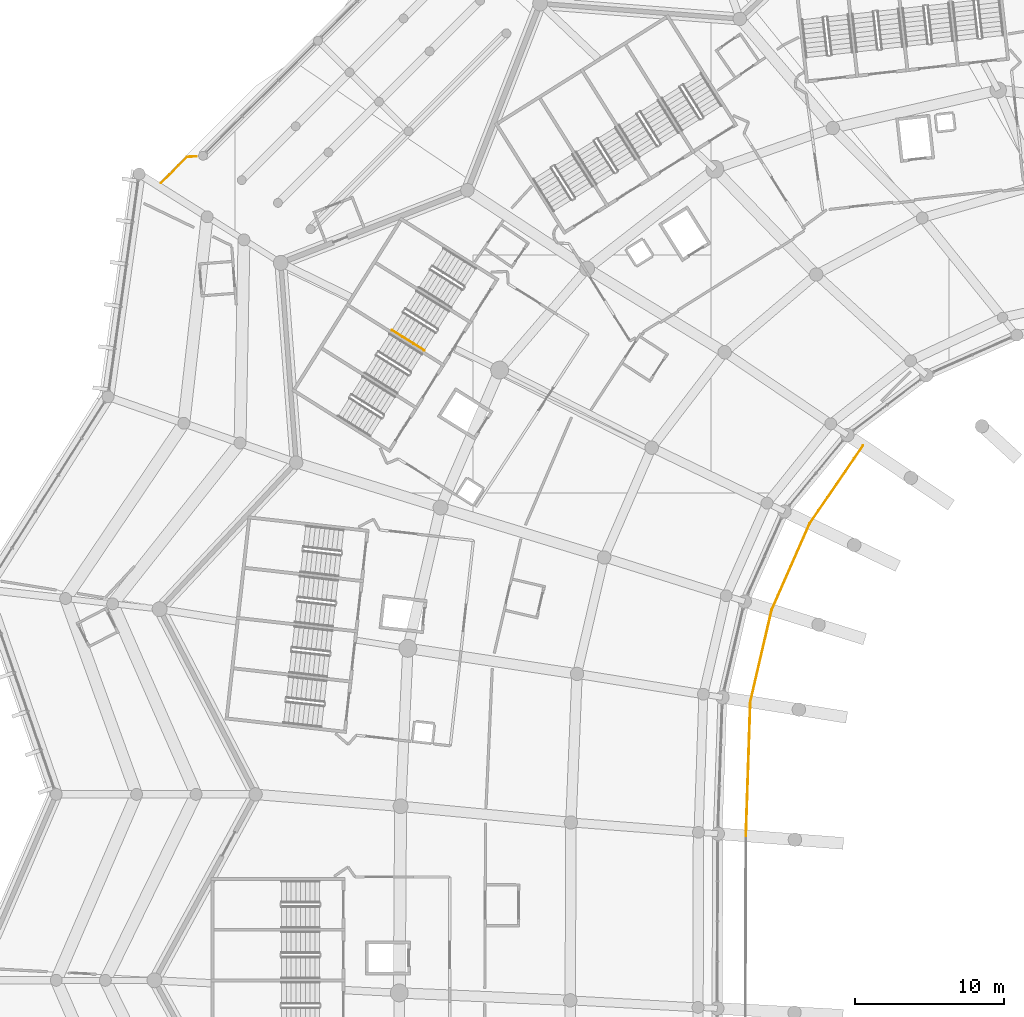
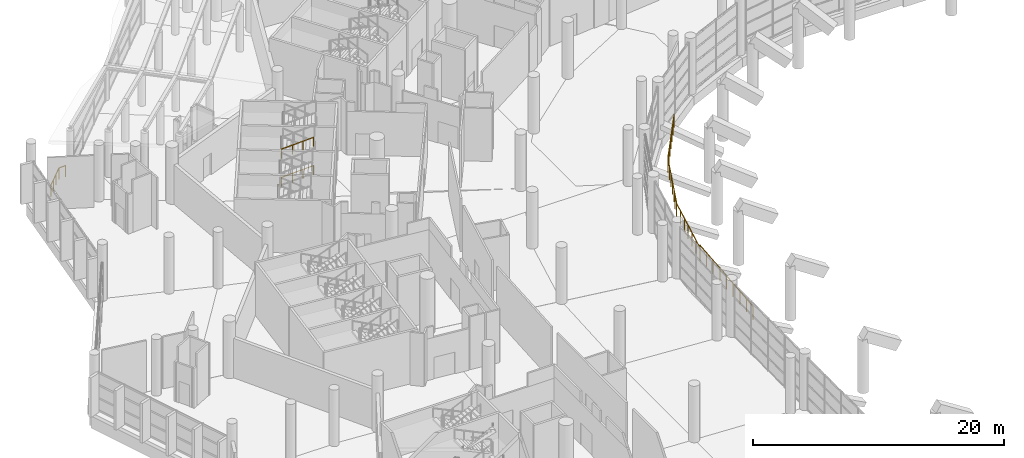
# One storey, part 254 of 271: 7 railings.
"""IFC4 building model written with IfcOpenShell, lengths in metres."""

from ifc_helpers import new_model, si_unit, direction, frame, origin, origin_2d, place, context, subcontext, project, spatial, circle, extrude, material, type_object, element, save


model = new_model("IFC4")

# Units and contexts
model_context = context("Model", 3, precision=1e-05, world=origin(), true_north=direction((0.0, 1.0)))
body_context = subcontext(model_context, "Body", "Model", "MODEL_VIEW")
ifc_project = project(units=[si_unit("LENGTHUNIT", "METRE"), si_unit("AREAUNIT", "SQUARE_METRE"), si_unit("VOLUMEUNIT", "CUBIC_METRE"), si_unit("PLANEANGLEUNIT", "RADIAN"), si_unit("MASSUNIT", "GRAM", prefix="KILO")], contexts=[model_context])

# Site, building, storey
site_placement = place(None, origin())
site = spatial("IfcSite", under=ifc_project, at=site_placement, CompositionType="ELEMENT")
building_placement = place(site_placement, origin())
building = spatial("IfcBuilding", under=site, at=building_placement, Name="Meseta Stadium", CompositionType="ELEMENT")
storey_placement = place(building_placement, frame((0.0, 0.0, 6.5)))
storey = spatial("IfcBuildingStorey", under=building, at=storey_placement, Name="L01", CompositionType="ELEMENT", Elevation=6.5)

# Railings
ifc_material_1 = material(Name="Steel S355", Category="steel")
railing_type_1 = type_object("IfcRailingType", Name="Plate edge guard 1100", PredefinedType="GUARDRAIL", material=ifc_material_1)
railing_1_placement = place(storey_placement, frame((-100.968505859375, 84.834228515625, 0.0)))
element("IfcRailing", 1, at=railing_1_placement, inside=storey, type_object=railing_type_1, Name="Gate hall edge guard 5", PredefinedType="GUARDRAIL", context=body_context, shape_type="SweptSolid", body=[
    extrude(circle(Radius=0.02490234375, at=origin_2d()), frame((0.0, 0.0, 1.0751953125), z_axis=(0.707155710833, 0.707057848155, 0.0), x_axis=(-0.707057848155, 0.707155710833, 0.0)), (0.0, 0.0, 1.0), 2.49462890625),
    extrude(circle(Radius=0.02490234375, at=origin_2d()), frame((1.76416015625, 1.763916015625, 1.0751953125), z_axis=(0.998252569987, 0.059091509668, 0.0), x_axis=(-0.059091509668, 0.998252569987, 0.0)), (0.0, 0.0, 1.0), 0.61962890625),
    extrude(circle(Radius=0.02001953125, at=origin_2d()), origin(), (0.0, 0.0, 1.0), 1.050048828125),
    extrude(circle(Radius=0.02001953125, at=origin_2d()), frame((0.588134765625, 0.587890625, 0.0)), (0.0, 0.0, 1.0), 1.050048828125),
    extrude(circle(Radius=0.02001953125, at=origin_2d()), frame((1.176025390625, 1.176025390625, 0.0)), (0.0, 0.0, 1.0), 1.050048828125),
    extrude(circle(Radius=0.02001953125, at=origin_2d()), frame((1.76416015625, 1.763916015625, 0.0)), (0.0, 0.0, 1.0), 1.050048828125),
    extrude(circle(Radius=0.02001953125, at=origin_2d()), frame((2.3828125, 1.800537109375, 0.0)), (0.0, 0.0, 1.0), 1.050048828125),
])
ifc_material_2 = material(Name="Steel S355", Category="steel")
railing_type_2 = type_object("IfcRailingType", Name="Stair handrail 900", PredefinedType="HANDRAIL", material=ifc_material_2)
for number, where, name in (
    (2, (-85.428466796875, 74.95166015625, 1.52783203125), "ST54 L01 handrail 2"),
    (3, (-85.428466796875, 74.95166015625, 4.27783203125), "ST54 L01 handrail 4"),
):
    element("IfcRailing", number, at=place(storey_placement, frame(where)), inside=storey, type_object=railing_type_2, Name=name, PredefinedType="HANDRAIL", context=body_context, shape_type="SweptSolid", body=[
        extrude(circle(Radius=0.02392578125, at=origin_2d()), frame((0.0, 0.0, 0.8759765625), z_axis=(0.764120620259, -0.480124894743, 0.430812909676), x_axis=(0.532028967801, 0.846726152555, 0.0)), (0.0, 0.0, 1.0), 2.8369140625),
        extrude(circle(Radius=0.02099609375, at=origin_2d()), origin(), (0.0, 0.0, 1.0), 0.851806640625),
        extrude(circle(Radius=0.02099609375, at=origin_2d()), frame((0.72265625, -0.4541015625, 0.407470703125)), (0.0, 0.0, 1.0), 0.851806640625),
        extrude(circle(Radius=0.02099609375, at=origin_2d()), frame((1.445068359375, -0.907958984375, 0.814697265625)), (0.0, 0.0, 1.0), 0.851806640625),
        extrude(circle(Radius=0.02099609375, at=origin_2d()), frame((2.167724609375, -1.362060546875, 1.22216796875)), (0.0, 0.0, 1.0), 0.851806640625),
    ])
ifc_material_3 = material(Name="Steel S355", Category="steel")
railing_type_3 = type_object("IfcRailingType", Name="Stand rear guard 1300", PredefinedType="GUARDRAIL", material=ifc_material_3)
railing_2_placement = place(storey_placement, frame((-53.76318359375, 67.1884765625, 0.89794921875)))
element("IfcRailing", 4, at=railing_2_placement, inside=storey, type_object=railing_type_3, Name="Stand lower tier rear guard bay 26", PredefinedType="GUARDRAIL", context=body_context, shape_type="SweptSolid", body=[
    extrude(circle(Radius=0.02490234375, at=origin_2d()), frame((0.0, 0.0, 1.27490234375), z_axis=(-0.565232765198, -0.82389925795, 0.041254501517), x_axis=(0.824601265192, -0.565714374437, 0.0)), (0.0, 0.0, 1.0), 6.35595703125),
    extrude(circle(Radius=0.02001953125, at=origin_2d()), origin(), (0.0, 0.0, 1.0), 1.25),
    extrude(circle(Radius=0.02001953125, at=origin_2d()), frame((-0.5986328125, -0.872802734375, 0.043701171875)), (0.0, 0.0, 1.0), 1.25),
    extrude(circle(Radius=0.02001953125, at=origin_2d()), frame((-1.197509765625, -1.74560546875, 0.08740234375)), (0.0, 0.0, 1.0), 1.25),
    extrude(circle(Radius=0.02001953125, at=origin_2d()), frame((-1.79638671875, -2.6181640625, 0.131103515625)), (0.0, 0.0, 1.0), 1.25),
    extrude(circle(Radius=0.02001953125, at=origin_2d()), frame((-2.39501953125, -3.490966796875, 0.1748046875)), (0.0, 0.0, 1.0), 1.25),
    extrude(circle(Radius=0.02001953125, at=origin_2d()), frame((-2.99365234375, -4.36376953125, 0.218505859375)), (0.0, 0.0, 1.0), 1.25),
    extrude(circle(Radius=0.02001953125, at=origin_2d()), frame((-3.592529296875, -5.236572265625, 0.26220703125)), (0.0, 0.0, 1.0), 1.25),
])
railing_3_placement = place(storey_placement, frame((-57.355712890625, 61.951904296875, 0.966552734375)))
element("IfcRailing", 5, at=railing_3_placement, inside=storey, type_object=railing_type_3, Name="Stand lower tier rear guard bay 27", PredefinedType="GUARDRAIL", context=body_context, shape_type="SweptSolid", body=[
    extrude(circle(Radius=0.02490234375, at=origin_2d()), frame((0.0, 0.0, 1.27490234375), z_axis=(-0.402695607316, -0.915119320954, 0.019821106544), x_axis=(0.915299138271, -0.402774735405, 0.0)), (0.0, 0.0, 1.0), 6.34326171875),
    extrude(circle(Radius=0.02001953125, at=origin_2d()), origin(), (0.0, 0.0, 1.0), 1.25),
    extrude(circle(Radius=0.02001953125, at=origin_2d()), frame((-0.42578125, -0.967529296875, 0.02099609375)), (0.0, 0.0, 1.0), 1.25),
    extrude(circle(Radius=0.02001953125, at=origin_2d()), frame((-0.8515625, -1.93505859375, 0.0419921875)), (0.0, 0.0, 1.0), 1.25),
    extrude(circle(Radius=0.02001953125, at=origin_2d()), frame((-1.27734375, -2.90234375, 0.06298828125)), (0.0, 0.0, 1.0), 1.25),
    extrude(circle(Radius=0.02001953125, at=origin_2d()), frame((-1.702880859375, -3.869873046875, 0.083740234375)), (0.0, 0.0, 1.0), 1.25),
    extrude(circle(Radius=0.02001953125, at=origin_2d()), frame((-2.128662109375, -4.83740234375, 0.104736328125)), (0.0, 0.0, 1.0), 1.25),
    extrude(circle(Radius=0.02001953125, at=origin_2d()), frame((-2.554443359375, -5.804931640625, 0.125732421875)), (0.0, 0.0, 1.0), 1.25),
])
railing_4_placement = place(storey_placement, frame((-59.91015625, 56.14697265625, 1.035888671875)))
element("IfcRailing", 6, at=railing_4_placement, inside=storey, type_object=railing_type_3, Name="Stand lower tier rear guard bay 28", PredefinedType="GUARDRAIL", context=body_context, shape_type="SweptSolid", body=[
    extrude(circle(Radius=0.02490234375, at=origin_2d()), frame((0.0, 0.0, 1.27490234375), z_axis=(-0.225891088366, -0.974150505012, -0.002002444016), x_axis=(0.974152458083, -0.225891541255, 0.0)), (0.0, 0.0, 1.0), 6.33984375),
    extrude(circle(Radius=0.02001953125, at=origin_2d()), origin(), (0.0, 0.0, 1.0), 1.25),
    extrude(circle(Radius=0.02001953125, at=origin_2d()), frame((-0.23876953125, -1.029296875, -0.002197265625)), (0.0, 0.0, 1.0), 1.25),
    extrude(circle(Radius=0.02001953125, at=origin_2d()), frame((-0.477294921875, -2.05859375, -0.004150390625)), (0.0, 0.0, 1.0), 1.25),
    extrude(circle(Radius=0.02001953125, at=origin_2d()), frame((-0.716064453125, -3.087890625, -0.00634765625)), (0.0, 0.0, 1.0), 1.25),
    extrude(circle(Radius=0.02001953125, at=origin_2d()), frame((-0.954833984375, -4.117431640625, -0.008544921875)), (0.0, 0.0, 1.0), 1.25),
    extrude(circle(Radius=0.02001953125, at=origin_2d()), frame((-1.193359375, -5.146728515625, -0.010498046875)), (0.0, 0.0, 1.0), 1.25),
    extrude(circle(Radius=0.02001953125, at=origin_2d()), frame((-1.43212890625, -6.176025390625, -0.0126953125)), (0.0, 0.0, 1.0), 1.25),
])
railing_5_placement = place(storey_placement, frame((-61.34228515625, 49.970947265625, 1.243896484375)))
element("IfcRailing", 7, at=railing_5_placement, inside=storey, type_object=railing_type_3, Name="Stand lower tier rear guard bay 29", PredefinedType="GUARDRAIL", context=body_context, shape_type="SweptSolid", body=[
    extrude(circle(Radius=0.02490234375, at=origin_2d()), frame((0.0, 0.0, 1.27490234375), z_axis=(-0.032921329146, -0.998514462974, -0.043417200723), x_axis=(0.999456922124, -0.032952402314, 0.0)), (0.0, 0.0, 1.0), 9.025146484375),
    extrude(circle(Radius=0.02001953125, at=origin_2d()), origin(), (0.0, 0.0, 1.0), 1.25),
    extrude(circle(Radius=0.02001953125, at=origin_2d()), frame((-0.037109375, -1.12646484375, -0.049072265625)), (0.0, 0.0, 1.0), 1.25),
    extrude(circle(Radius=0.02001953125, at=origin_2d()), frame((-0.07421875, -2.2529296875, -0.097900390625)), (0.0, 0.0, 1.0), 1.25),
    extrude(circle(Radius=0.02001953125, at=origin_2d()), frame((-0.111328125, -3.37939453125, -0.14697265625)), (0.0, 0.0, 1.0), 1.25),
    extrude(circle(Radius=0.02001953125, at=origin_2d()), frame((-0.1484375, -4.505859375, -0.19580078125)), (0.0, 0.0, 1.0), 1.25),
    extrude(circle(Radius=0.02001953125, at=origin_2d()), frame((-0.185791015625, -5.63232421875, -0.244873046875)), (0.0, 0.0, 1.0), 1.25),
    extrude(circle(Radius=0.02001953125, at=origin_2d()), frame((-0.222900390625, -6.7587890625, -0.2939453125)), (0.0, 0.0, 1.0), 1.25),
    extrude(circle(Radius=0.02001953125, at=origin_2d()), frame((-0.260009765625, -7.88525390625, -0.3427734375)), (0.0, 0.0, 1.0), 1.25),
    extrude(circle(Radius=0.02001953125, at=origin_2d()), frame((-0.297119140625, -9.01171875, -0.391845703125)), (0.0, 0.0, 1.0), 1.25),
])

save(model, "model.ifc")
